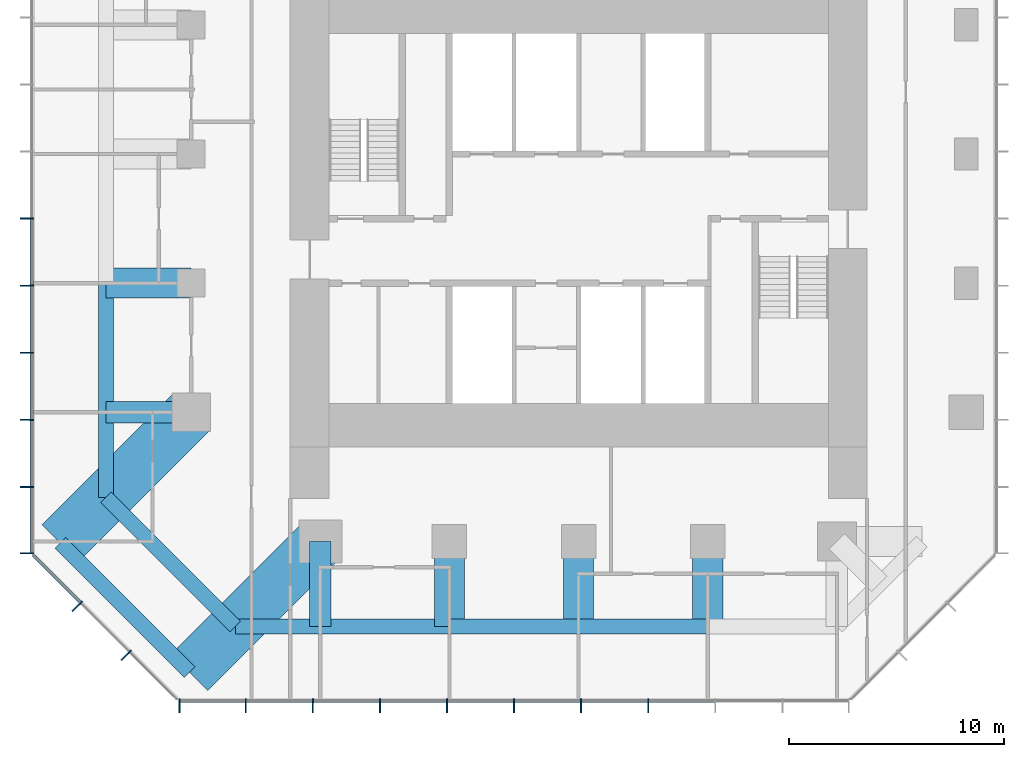
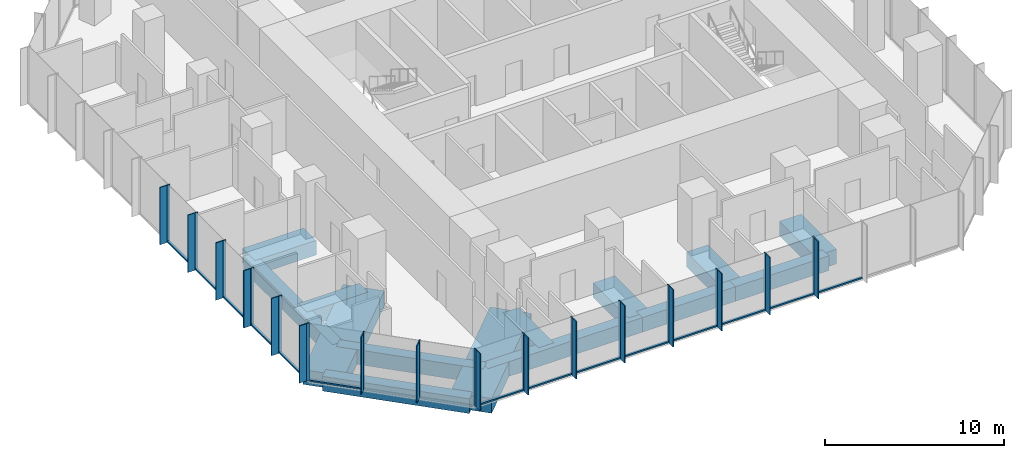
# One storey, part 2 of 11: 46 members, 14 beams, 3 elements without a shape of their own.
"""IFC4 building model written with IfcOpenShell, lengths in metres."""

import ifcopenshell
import ifcopenshell.guid

model = None  # the IFC model being written
_history = None  # IfcOwnerHistory: only IFC2X3 demands one
_inside = {}  # id of a spatial element -> (the spatial element, [elements in it])
_under = {}  # id of a project, library or spatial element -> (it, [spatial elements below it])
_declared = {}  # id of a project -> (the project, [libraries it declares])
_typed = {}  # id of a type object -> (the type object, [elements of that type])
_made_of = {}  # id of a material, layer set ... -> (it, [elements and type objects made of it])


def new_model(schema):
    """Start an empty IFC model of exactly this schema.

    Asked for "IFC4X3", IfcOpenShell would pick the latest addendum, in which some entities
    have other attributes; the version numbers below select the first issue.
    IFC2X3 requires an IfcOwnerHistory on every rooted entity: one is made here for all.
    """
    global model, _history
    if schema == "IFC4X3":
        model = ifcopenshell.file(schema_version=(4, 3, 0, 0))
    else:
        model = ifcopenshell.file(schema=schema)
    _inside.clear()
    _under.clear()
    _declared.clear()
    _typed.clear()
    _made_of.clear()
    _history = None
    if model.schema == "IFC2X3":
        org = make("IfcOrganization", Name="unknown")
        user = make(
            "IfcPersonAndOrganization",
            ThePerson=make("IfcPerson", FamilyName="unknown"),
            TheOrganization=org,
        )
        app = make(
            "IfcApplication",
            ApplicationDeveloper=org,
            Version="unknown",
            ApplicationFullName="unknown",
            ApplicationIdentifier="unknown",
        )
        _history = make(
            "IfcOwnerHistory",
            OwningUser=user,
            OwningApplication=app,
            ChangeAction="ADDED",
            CreationDate=0,
        )
    return model


def make(cls, **values):
    """One entity of the class cls with the attributes given. An attribute that is None is left unset."""
    return model.create_entity(
        cls, **{name: value for name, value in values.items() if value is not None}
    )


def rooted(cls, **values):
    """An entity with a GlobalId (a new one), such as an element, a storey or a relation."""
    return make(cls, GlobalId=ifcopenshell.guid.new(), OwnerHistory=_history, **values)


def si_unit(unit_type, name, prefix=None):
    """IfcSIUnit, for example si_unit("LENGTHUNIT", "METRE", prefix="MILLI")."""
    return make("IfcSIUnit", UnitType=unit_type, Prefix=prefix, Name=name)


def assignment(units):
    """IfcUnitAssignment: the units of a project."""
    return None if units is None else make("IfcUnitAssignment", Units=units)


def point(xyz):
    """IfcCartesianPoint."""
    return None if xyz is None else make("IfcCartesianPoint", Coordinates=xyz)


def direction(xyz):
    """IfcDirection."""
    return None if xyz is None else make("IfcDirection", DirectionRatios=xyz)


def frame(location, z_axis=None, x_axis=None):
    """IfcAxis2Placement3D, a coordinate frame: its origin and axes. An axis left out is left unset."""
    return make(
        "IfcAxis2Placement3D",
        Location=point(location),
        Axis=direction(z_axis),
        RefDirection=direction(x_axis),
    )


def frame_2d(location, x_axis=None):
    """IfcAxis2Placement2D, a coordinate frame in the plane: its origin and x axis."""
    return make(
        "IfcAxis2Placement2D", Location=point(location), RefDirection=direction(x_axis)
    )


def origin():
    """The frame at (0, 0, 0) with its axes left unset."""
    return frame((0.0, 0.0, 0.0))


def origin_2d():
    """The frame at (0, 0) in the plane with its x axis left unset."""
    return frame_2d((0.0, 0.0))


def place(relative_to, where):
    """IfcLocalPlacement: puts the frame where relative to a parent placement (None: the world)."""
    return make(
        "IfcLocalPlacement", PlacementRelTo=relative_to, RelativePlacement=where
    )


def context(
    kind, dimensions, precision=None, world=None, true_north=None, identifier=None
):
    """IfcGeometricRepresentationContext, for example the 3D "Model" context."""
    return make(
        "IfcGeometricRepresentationContext",
        ContextIdentifier=identifier,
        ContextType=kind,
        CoordinateSpaceDimension=dimensions,
        Precision=precision,
        WorldCoordinateSystem=world,
        TrueNorth=true_north,
    )


def subcontext(parent, identifier, kind, view, scale=None):
    """IfcGeometricRepresentationSubContext, for example "Body" below "Model"."""
    return make(
        "IfcGeometricRepresentationSubContext",
        ContextIdentifier=identifier,
        ContextType=kind,
        ParentContext=parent,
        TargetScale=scale,
        TargetView=view,
    )


def project(units=None, contexts=None):
    """IfcProject with its units and contexts."""
    return rooted(
        "IfcProject",
        Name="project",
        RepresentationContexts=contexts,
        UnitsInContext=assignment(units),
    )


def spatial(cls, under=None, at=None, **own):
    """A site, building, storey or space (cls), placed at a placement, below another one or the project."""
    s = rooted(cls, ObjectPlacement=at, **own)
    if under is not None:
        _under.setdefault(under.id(), (under, []))[1].append(s)
    return s


def profile(cls, at=None, kind="AREA", **sizes):
    """A parametric profile (cls). Its sizes go by their IFC names, for example OverallWidth=200.0."""
    return make(cls, ProfileType=kind, Position=at, **sizes)


def rectangle(**sizes):
    """IfcRectangleProfileDef."""
    return profile("IfcRectangleProfileDef", **sizes)


def extrude(swept, where, along, depth):
    """IfcExtrudedAreaSolid: the profile swept, set in the frame where, extruded along a direction by depth."""
    return make(
        "IfcExtrudedAreaSolid",
        SweptArea=swept,
        Position=where,
        ExtrudedDirection=direction(along),
        Depth=depth,
    )


def shape(context_of_items, identifier, shape_type, items):
    """IfcShapeRepresentation: the items that make up one representation, for example the "Body"."""
    return make(
        "IfcShapeRepresentation",
        ContextOfItems=context_of_items,
        RepresentationIdentifier=identifier,
        RepresentationType=shape_type,
        Items=items,
    )


def material(Name=None, Category=None):
    """IfcMaterial."""
    return make("IfcMaterial", Name=Name, Category=Category)


def layer(
    of_material, thickness, ventilated=None, Name=None, Category=None, Priority=None
):
    """IfcMaterialLayer: one layer of a wall or slab, of a material (None: an air gap)."""
    return make(
        "IfcMaterialLayer",
        Material=of_material,
        LayerThickness=thickness,
        IsVentilated=ventilated,
        Name=Name,
        Category=Category,
        Priority=Priority,
    )


def layer_set(layers, Name=None):
    """IfcMaterialLayerSet."""
    return make("IfcMaterialLayerSet", MaterialLayers=layers, LayerSetName=Name)


def material_profile(
    of_material, cross_section, Name=None, Category=None, Priority=None
):
    """IfcMaterialProfile: a cross section and its material."""
    return make(
        "IfcMaterialProfile",
        Name=Name,
        Material=of_material,
        Profile=cross_section,
        Priority=Priority,
        Category=Category,
    )


def profile_set(profiles, Name=None, composite=None):
    """IfcMaterialProfileSet."""
    return make(
        "IfcMaterialProfileSet",
        Name=Name,
        MaterialProfiles=profiles,
        CompositeProfile=composite,
    )


def made_of(thing, what):
    """Note that an element or type object is made of a material, layer set ...; save() writes the relation."""
    if what is not None:
        _made_of.setdefault(what.id(), (what, []))[1].append(thing)
    return thing


def type_object(cls, material=None, **own):
    """A type object (cls), such as IfcWallType, which elements share."""
    return made_of(rooted(cls, **own), material)


def element(
    cls,
    number,
    at=None,
    inside=None,
    cuts=None,
    type_object=None,
    material=None,
    context=None,
    identifier="Body",
    shape_type=None,
    held_by="IfcProductDefinitionShape",
    body=None,
    shapes=None,
    **own,
):
    """One element of the class cls, such as IfcWall. Its Tag is "e" and its number.

    at: its placement. inside: the storey or other place that contains it. cuts: it is an
    opening in that element (IfcRelVoidsElement). A single representation is given by context,
    identifier, shape_type and body (its items); several are given by shapes. held_by: the class
    of the entity that holds the representations. save() writes the other relations.
    """
    e = rooted(cls, Tag="e%d" % number, ObjectPlacement=at, **own)
    if body is not None:
        shapes = [shape(context, identifier, shape_type, body)]
    if shapes is not None:
        e.Representation = make(held_by, Representations=shapes)
    if inside is not None:
        _inside.setdefault(inside.id(), (inside, []))[1].append(e)
    if cuts is not None:
        rooted(
            "IfcRelVoidsElement", RelatingBuildingElement=cuts, RelatedOpeningElement=e
        )
    if type_object is not None:
        _typed.setdefault(type_object.id(), (type_object, []))[1].append(e)
    return made_of(e, material)


def aggregate(whole, parts):
    """IfcRelAggregates: a whole, such as a stair, and the parts it consists of."""
    return rooted("IfcRelAggregates", RelatingObject=whole, RelatedObjects=parts)


def save(model, path):
    """Write the relations noted so far, then the file.

    IfcRelAggregates (storeys below a building ...), IfcRelContainedInSpatialStructure (elements
    in a storey), IfcRelDefinesByType, IfcRelAssociatesMaterial and IfcRelDeclares: one each for
    every whole, place, type object, material and project.
    """
    for whole, parts in _under.values():
        aggregate(whole, parts)
    for where, things in _inside.values():
        rooted(
            "IfcRelContainedInSpatialStructure",
            RelatedElements=things,
            RelatingStructure=where,
        )
    for kind, things in _typed.values():
        rooted("IfcRelDefinesByType", RelatedObjects=things, RelatingType=kind)
    for what, things in _made_of.values():
        rooted("IfcRelAssociatesMaterial", RelatedObjects=things, RelatingMaterial=what)
    for by, libraries in _declared.values():
        rooted("IfcRelDeclares", RelatingContext=by, RelatedDefinitions=libraries)
    model.write(path)


model = new_model("IFC4")

# Units and contexts
model_context = context("Model", 3, precision=1e-05, world=origin(), true_north=direction((0.0, 1.0)))
body_context = subcontext(model_context, "Body", "Model", "MODEL_VIEW")
ifc_project = project(units=[si_unit("LENGTHUNIT", "METRE"), si_unit("AREAUNIT", "SQUARE_METRE"), si_unit("VOLUMEUNIT", "CUBIC_METRE"), si_unit("PLANEANGLEUNIT", "RADIAN"), si_unit("MASSUNIT", "GRAM", prefix="KILO")], contexts=[model_context])

# Site, building, storey
site_placement = place(None, origin())
site = spatial("IfcSite", under=ifc_project, at=site_placement, CompositionType="ELEMENT")
building_placement = place(site_placement, origin())
building = spatial("IfcBuilding", under=site, at=building_placement, Name="Highveld Stack Headquarters", CompositionType="ELEMENT")
storey_placement = place(building_placement, frame((0.0, 0.0, 220.10009765625)))
storey = spatial("IfcBuildingStorey", under=building, at=storey_placement, Name="L54", CompositionType="ELEMENT", Elevation=220.10009765625)

# Beams
ifc_material_1 = material(Name="Concrete C60/75", Category="concrete")
ifc_material_profile_1 = material_profile(ifc_material_1, rectangle(XDim=1.0, YDim=1.0, at=origin_2d()), Name="RC 1000x1000")
ifc_profile_set_1 = profile_set([ifc_material_profile_1], Name="Concrete C60/75")
beam_type_1 = type_object("IfcBeamType", Name="CANTILEVER RIB RC 1000x1000", PredefinedType="USERDEFINED", material=ifc_profile_set_1)
for number, where, z_axis, x_axis, name in (
    (1, (-12.0, -6.0, -0.75), (-1.0, 0.0, 0.0), (0.0, -1.0, 0.0), "Cantilever rib 4/D L54"),
    (2, (-6.0, -12.0, -0.75), (0.0, -1.0, 0.0), (1.0, 0.0, 0.0), "Cantilever rib 5/C L54"),
):
    element("IfcBeam", number, at=place(storey_placement, frame(where, z_axis=z_axis, x_axis=x_axis)), inside=storey, type_object=beam_type_1, Name=name, ObjectType="CANTILEVER RIB", PredefinedType="USERDEFINED", context=body_context, shape_type="SweptSolid", body=[
        extrude(rectangle(XDim=1.0, YDim=1.0, at=origin_2d()), origin(), (0.0, 0.0, 1.0), 3.949951171875),
    ])
ifc_material_2 = material(Name="Concrete C60/75", Category="concrete")
ifc_material_profile_2 = material_profile(ifc_material_2, rectangle(XDim=1.39990234375, YDim=1.0, at=origin_2d()), Name="RC 1400x1000")
ifc_profile_set_2 = profile_set([ifc_material_profile_2], Name="Concrete C60/75")
beam_type_2 = type_object("IfcBeamType", Name="CANTILEVER RIB RC 1400x1000", PredefinedType="USERDEFINED", material=ifc_profile_set_2)
for number, where, z_axis, x_axis, name in (
    (3, (-12.0, 0.0, -0.75), (-1.0, 0.0, 0.0), (0.0, -1.0, 0.0), "Cantilever rib 4/E L54"),
    (4, (0.0, -12.0, -0.75), (0.0, -1.0, 0.0), (1.0, 0.0, 0.0), "Cantilever rib 6/C L54"),
    (5, (6.0, -12.0, -0.75), (0.0, -1.0, 0.0), (1.0, 0.0, 0.0), "Cantilever rib 7/C L54"),
    (6, (12.0, -12.0, -0.75), (0.0, -1.0, 0.0), (1.0, 0.0, 0.0), "Cantilever rib 8/C L54"),
):
    element("IfcBeam", number, at=place(storey_placement, frame(where, z_axis=z_axis, x_axis=x_axis)), inside=storey, type_object=beam_type_2, Name=name, ObjectType="CANTILEVER RIB", PredefinedType="USERDEFINED", context=body_context, shape_type="SweptSolid", body=[
        extrude(rectangle(XDim=1.39990234375, YDim=1.0, at=origin_2d()), origin(), (0.0, 0.0, 1.0), 3.949951171875),
    ])
ifc_material_3 = material(Name="Concrete C60/75", Category="concrete")
ifc_material_profile_3 = material_profile(ifc_material_3, rectangle(XDim=2.39990234375, YDim=1.0, at=origin_2d()), Name="RC 2400x1000")
ifc_profile_set_3 = profile_set([ifc_material_profile_3], Name="Concrete C60/75")
beam_type_3 = type_object("IfcBeamType", Name="CANTILEVER RIB RC 2400x1000", PredefinedType="USERDEFINED", material=ifc_profile_set_3)
for number, where, z_axis, x_axis, name in (
    (7, (-12.0, -6.0, -0.75), (-0.707106781187, -0.707106781187, 0.0), (0.707106781187, -0.707106781187, 0.0), "Cantilever rib 4/D L54"),
    (8, (-6.0, -12.0, -0.75), (-0.707106781187, -0.707106781187, 0.0), (0.707106781187, -0.707106781187, 0.0), "Cantilever rib 5/C L54"),
):
    element("IfcBeam", number, at=place(storey_placement, frame(where, z_axis=z_axis, x_axis=x_axis)), inside=storey, type_object=beam_type_3, Name=name, ObjectType="CANTILEVER RIB", PredefinedType="USERDEFINED", context=body_context, shape_type="SweptSolid", body=[
        extrude(rectangle(XDim=2.39990234375, YDim=1.0, at=origin_2d()), origin(), (0.0, 0.0, 1.0), 8.585693359375),
    ])

# Curtain wall, members
ifc_material_4 = material(Name="Aluminium bronze anodised", Category="aluminium")
ifc_layer_1 = layer(ifc_material_4, 0.199951171875)
ifc_layer_set_1 = layer_set([ifc_layer_1], Name="Aluminium bronze anodised")
curtain_wall_type_1 = type_object("IfcCurtainWallType", Name="CW1 TOWER UNITISED CURTAIN WALL", PredefinedType="NOTDEFINED", material=ifc_layer_set_1)
curtain_wall_1_placement = place(storey_placement, origin())
curtain_wall_1 = element("IfcCurtainWall", 9, at=curtain_wall_1_placement, inside=storey, type_object=curtain_wall_type_1, Name="Curtain wall CW1 L54 S", PredefinedType="NOTDEFINED")
ifc_material_5 = material(Name="Aluminium bronze anodised", Category="aluminium")
ifc_material_profile_4 = material_profile(ifc_material_5, rectangle(XDim=0.449951171875, YDim=0.06005859375, at=origin_2d()), Name="FIN 450x60")
ifc_profile_set_4 = profile_set([ifc_material_profile_4], Name="Aluminium bronze anodised")
member_type_1 = type_object("IfcMemberType", Name="CW1 BRONZE FIN 450x60", PredefinedType="USERDEFINED", material=ifc_profile_set_4)
member_1_placement = place(storey_placement, frame((-12.54736328125, -19.72509765625, 0.0), z_axis=(0.0, 0.0, 1.0), x_axis=(0.0, 1.0, 0.0)))
member_1 = element("IfcMember", 10, at=member_1_placement, type_object=member_type_1, Name="CW1 fin L54 1", ObjectType="FIN", PredefinedType="USERDEFINED", context=body_context, shape_type="SweptSolid", body=[
    extrude(rectangle(XDim=0.449951171875, YDim=0.06005859375, at=origin_2d()), origin(), (0.0, 0.0, 1.0), 3.89990234375),
])
member_2_placement = place(storey_placement, frame((-9.4638671875, -19.72509765625, 0.0), z_axis=(0.0, 0.0, 1.0), x_axis=(0.0, 1.0, 0.0)))
member_2 = element("IfcMember", 11, at=member_2_placement, type_object=member_type_1, Name="CW1 fin L54 2", ObjectType="FIN", PredefinedType="USERDEFINED", context=body_context, shape_type="SweptSolid", body=[
    extrude(rectangle(XDim=0.449951171875, YDim=0.06005859375, at=origin_2d()), origin(), (0.0, 0.0, 1.0), 3.89990234375),
])
member_3_placement = place(storey_placement, frame((-6.347900390625, -19.72509765625, 0.0), z_axis=(0.0, 0.0, 1.0), x_axis=(0.0, 1.0, 0.0)))
member_3 = element("IfcMember", 12, at=member_3_placement, type_object=member_type_1, Name="CW1 fin L54 3", ObjectType="FIN", PredefinedType="USERDEFINED", context=body_context, shape_type="SweptSolid", body=[
    extrude(rectangle(XDim=0.449951171875, YDim=0.06005859375, at=origin_2d()), origin(), (0.0, 0.0, 1.0), 3.89990234375),
])
member_4_placement = place(storey_placement, frame((-3.23193359375, -19.72509765625, 0.0), z_axis=(0.0, 0.0, 1.0), x_axis=(0.0, 1.0, 0.0)))
member_4 = element("IfcMember", 13, at=member_4_placement, type_object=member_type_1, Name="CW1 fin L54 4", ObjectType="FIN", PredefinedType="USERDEFINED", context=body_context, shape_type="SweptSolid", body=[
    extrude(rectangle(XDim=0.449951171875, YDim=0.06005859375, at=origin_2d()), origin(), (0.0, 0.0, 1.0), 3.89990234375),
])
member_5_placement = place(storey_placement, frame((-0.115966796875, -19.72509765625, 0.0), z_axis=(0.0, 0.0, 1.0), x_axis=(0.0, 1.0, 0.0)))
member_5 = element("IfcMember", 14, at=member_5_placement, type_object=member_type_1, Name="CW1 fin L54 5", ObjectType="FIN", PredefinedType="USERDEFINED", context=body_context, shape_type="SweptSolid", body=[
    extrude(rectangle(XDim=0.449951171875, YDim=0.06005859375, at=origin_2d()), origin(), (0.0, 0.0, 1.0), 3.89990234375),
])
member_6_placement = place(storey_placement, frame((3.0, -19.72509765625, 0.0), z_axis=(0.0, 0.0, 1.0), x_axis=(0.0, 1.0, 0.0)))
member_6 = element("IfcMember", 15, at=member_6_placement, type_object=member_type_1, Name="CW1 fin L54 6", ObjectType="FIN", PredefinedType="USERDEFINED", context=body_context, shape_type="SweptSolid", body=[
    extrude(rectangle(XDim=0.449951171875, YDim=0.06005859375, at=origin_2d()), origin(), (0.0, 0.0, 1.0), 3.89990234375),
])
member_7_placement = place(storey_placement, frame((6.115966796875, -19.72509765625, 0.0), z_axis=(0.0, 0.0, 1.0), x_axis=(0.0, 1.0, 0.0)))
member_7 = element("IfcMember", 16, at=member_7_placement, type_object=member_type_1, Name="CW1 fin L54 7", ObjectType="FIN", PredefinedType="USERDEFINED", context=body_context, shape_type="SweptSolid", body=[
    extrude(rectangle(XDim=0.449951171875, YDim=0.06005859375, at=origin_2d()), origin(), (0.0, 0.0, 1.0), 3.89990234375),
])
member_8_placement = place(storey_placement, frame((9.23193359375, -19.72509765625, 0.0), z_axis=(0.0, 0.0, 1.0), x_axis=(0.0, 1.0, 0.0)))
member_8 = element("IfcMember", 17, at=member_8_placement, type_object=member_type_1, Name="CW1 fin L54 8", ObjectType="FIN", PredefinedType="USERDEFINED", context=body_context, shape_type="SweptSolid", body=[
    extrude(rectangle(XDim=0.449951171875, YDim=0.06005859375, at=origin_2d()), origin(), (0.0, 0.0, 1.0), 3.89990234375),
])

curtain_wall_2_placement = place(storey_placement, origin())
curtain_wall_2 = element("IfcCurtainWall", 18, at=curtain_wall_2_placement, inside=storey, type_object=curtain_wall_type_1, Name="Curtain wall CW1 L54 W", PredefinedType="NOTDEFINED")
member_9_placement = place(storey_placement, frame((-19.72509765625, 3.0, 0.0), z_axis=(0.0, 0.0, 1.0), x_axis=(1.0, 0.0, 0.0)))
member_9 = element("IfcMember", 19, at=member_9_placement, type_object=member_type_1, Name="CW1 fin L54 6", ObjectType="FIN", PredefinedType="USERDEFINED", context=body_context, shape_type="SweptSolid", body=[
    extrude(rectangle(XDim=0.449951171875, YDim=0.06005859375, at=origin_2d()), origin(), (0.0, 0.0, 1.0), 3.89990234375),
])
member_10_placement = place(storey_placement, frame((-19.72509765625, -0.115966796875, 0.0), z_axis=(0.0, 0.0, 1.0), x_axis=(1.0, 0.0, 0.0)))
member_10 = element("IfcMember", 20, at=member_10_placement, type_object=member_type_1, Name="CW1 fin L54 7", ObjectType="FIN", PredefinedType="USERDEFINED", context=body_context, shape_type="SweptSolid", body=[
    extrude(rectangle(XDim=0.449951171875, YDim=0.06005859375, at=origin_2d()), origin(), (0.0, 0.0, 1.0), 3.89990234375),
])
member_11_placement = place(storey_placement, frame((-19.72509765625, -3.23193359375, 0.0), z_axis=(0.0, 0.0, 1.0), x_axis=(1.0, 0.0, 0.0)))
member_11 = element("IfcMember", 21, at=member_11_placement, type_object=member_type_1, Name="CW1 fin L54 8", ObjectType="FIN", PredefinedType="USERDEFINED", context=body_context, shape_type="SweptSolid", body=[
    extrude(rectangle(XDim=0.449951171875, YDim=0.06005859375, at=origin_2d()), origin(), (0.0, 0.0, 1.0), 3.89990234375),
])
member_12_placement = place(storey_placement, frame((-19.72509765625, -6.347900390625, 0.0), z_axis=(0.0, 0.0, 1.0), x_axis=(1.0, 0.0, 0.0)))
member_12 = element("IfcMember", 22, at=member_12_placement, type_object=member_type_1, Name="CW1 fin L54 9", ObjectType="FIN", PredefinedType="USERDEFINED", context=body_context, shape_type="SweptSolid", body=[
    extrude(rectangle(XDim=0.449951171875, YDim=0.06005859375, at=origin_2d()), origin(), (0.0, 0.0, 1.0), 3.89990234375),
])
member_13_placement = place(storey_placement, frame((-19.72509765625, -9.4638671875, 0.0), z_axis=(0.0, 0.0, 1.0), x_axis=(1.0, 0.0, 0.0)))
member_13 = element("IfcMember", 23, at=member_13_placement, type_object=member_type_1, Name="CW1 fin L54 10", ObjectType="FIN", PredefinedType="USERDEFINED", context=body_context, shape_type="SweptSolid", body=[
    extrude(rectangle(XDim=0.449951171875, YDim=0.06005859375, at=origin_2d()), origin(), (0.0, 0.0, 1.0), 3.89990234375),
])
member_14_placement = place(storey_placement, frame((-19.72509765625, -12.54736328125, 0.0), z_axis=(0.0, 0.0, 1.0), x_axis=(1.0, 0.0, 0.0)))
member_14 = element("IfcMember", 24, at=member_14_placement, type_object=member_type_1, Name="CW1 fin L54 11", ObjectType="FIN", PredefinedType="USERDEFINED", context=body_context, shape_type="SweptSolid", body=[
    extrude(rectangle(XDim=0.449951171875, YDim=0.06005859375, at=origin_2d()), origin(), (0.0, 0.0, 1.0), 3.89990234375),
])

# Member
ifc_material_6 = material(Name="Aluminium bronze anodised", Category="aluminium")
ifc_material_profile_5 = material_profile(ifc_material_6, rectangle(XDim=0.199951171875, YDim=0.06494140625, at=origin_2d()), Name="CW1 MULLION 65x200")
ifc_profile_set_5 = profile_set([ifc_material_profile_5], Name="Aluminium bronze anodised")
member_type_2 = type_object("IfcMemberType", Name="CW1 MULLION 65x200", PredefinedType="MULLION", material=ifc_profile_set_5)
member_15_placement = place(storey_placement, frame((-12.54736328125, -19.39990234375, 0.0), z_axis=(0.0, 0.0, 1.0), x_axis=(0.0, 1.0, 0.0)))
member_15 = element("IfcMember", 25, at=member_15_placement, type_object=member_type_2, Name="CW1 mullion L54 1", PredefinedType="MULLION", context=body_context, shape_type="SweptSolid", body=[
    extrude(rectangle(XDim=0.199951171875, YDim=0.06494140625, at=origin_2d()), origin(), (0.0, 0.0, 1.0), 3.89990234375),
])

member_16_placement = place(storey_placement, frame((-9.4638671875, -19.39990234375, 0.0), z_axis=(0.0, 0.0, 1.0), x_axis=(0.0, 1.0, 0.0)))
member_16 = element("IfcMember", 26, at=member_16_placement, type_object=member_type_2, Name="CW1 mullion L54 2", PredefinedType="MULLION", context=body_context, shape_type="SweptSolid", body=[
    extrude(rectangle(XDim=0.199951171875, YDim=0.06494140625, at=origin_2d()), origin(), (0.0, 0.0, 1.0), 3.89990234375),
])

member_17_placement = place(storey_placement, frame((-6.347900390625, -19.39990234375, 0.0), z_axis=(0.0, 0.0, 1.0), x_axis=(0.0, 1.0, 0.0)))
member_17 = element("IfcMember", 27, at=member_17_placement, type_object=member_type_2, Name="CW1 mullion L54 3", PredefinedType="MULLION", context=body_context, shape_type="SweptSolid", body=[
    extrude(rectangle(XDim=0.199951171875, YDim=0.06494140625, at=origin_2d()), origin(), (0.0, 0.0, 1.0), 3.89990234375),
])

member_18_placement = place(storey_placement, frame((-3.23193359375, -19.39990234375, 0.0), z_axis=(0.0, 0.0, 1.0), x_axis=(0.0, 1.0, 0.0)))
member_18 = element("IfcMember", 28, at=member_18_placement, type_object=member_type_2, Name="CW1 mullion L54 4", PredefinedType="MULLION", context=body_context, shape_type="SweptSolid", body=[
    extrude(rectangle(XDim=0.199951171875, YDim=0.06494140625, at=origin_2d()), origin(), (0.0, 0.0, 1.0), 3.89990234375),
])

member_19_placement = place(storey_placement, frame((-0.115966796875, -19.39990234375, 0.0), z_axis=(0.0, 0.0, 1.0), x_axis=(0.0, 1.0, 0.0)))
member_19 = element("IfcMember", 29, at=member_19_placement, type_object=member_type_2, Name="CW1 mullion L54 5", PredefinedType="MULLION", context=body_context, shape_type="SweptSolid", body=[
    extrude(rectangle(XDim=0.199951171875, YDim=0.06494140625, at=origin_2d()), origin(), (0.0, 0.0, 1.0), 3.89990234375),
])

member_20_placement = place(storey_placement, frame((3.0, -19.39990234375, 0.0), z_axis=(0.0, 0.0, 1.0), x_axis=(0.0, 1.0, 0.0)))
member_20 = element("IfcMember", 30, at=member_20_placement, type_object=member_type_2, Name="CW1 mullion L54 6", PredefinedType="MULLION", context=body_context, shape_type="SweptSolid", body=[
    extrude(rectangle(XDim=0.199951171875, YDim=0.06494140625, at=origin_2d()), origin(), (0.0, 0.0, 1.0), 3.89990234375),
])

member_21_placement = place(storey_placement, frame((6.115966796875, -19.39990234375, 0.0), z_axis=(0.0, 0.0, 1.0), x_axis=(0.0, 1.0, 0.0)))
member_21 = element("IfcMember", 31, at=member_21_placement, type_object=member_type_2, Name="CW1 mullion L54 7", PredefinedType="MULLION", context=body_context, shape_type="SweptSolid", body=[
    extrude(rectangle(XDim=0.199951171875, YDim=0.06494140625, at=origin_2d()), origin(), (0.0, 0.0, 1.0), 3.89990234375),
])

member_22_placement = place(storey_placement, frame((9.23193359375, -19.39990234375, 0.0), z_axis=(0.0, 0.0, 1.0), x_axis=(0.0, 1.0, 0.0)))
member_22 = element("IfcMember", 32, at=member_22_placement, type_object=member_type_2, Name="CW1 mullion L54 8", PredefinedType="MULLION", context=body_context, shape_type="SweptSolid", body=[
    extrude(rectangle(XDim=0.199951171875, YDim=0.06494140625, at=origin_2d()), origin(), (0.0, 0.0, 1.0), 3.89990234375),
])

member_23_placement = place(storey_placement, frame((-19.39990234375, 3.0, 0.0), z_axis=(0.0, 0.0, 1.0), x_axis=(1.0, 0.0, 0.0)))
member_23 = element("IfcMember", 33, at=member_23_placement, type_object=member_type_2, Name="CW1 mullion L54 6", PredefinedType="MULLION", context=body_context, shape_type="SweptSolid", body=[
    extrude(rectangle(XDim=0.199951171875, YDim=0.06494140625, at=origin_2d()), origin(), (0.0, 0.0, 1.0), 3.89990234375),
])

member_24_placement = place(storey_placement, frame((-19.39990234375, -0.115966796875, 0.0), z_axis=(0.0, 0.0, 1.0), x_axis=(1.0, 0.0, 0.0)))
member_24 = element("IfcMember", 34, at=member_24_placement, type_object=member_type_2, Name="CW1 mullion L54 7", PredefinedType="MULLION", context=body_context, shape_type="SweptSolid", body=[
    extrude(rectangle(XDim=0.199951171875, YDim=0.06494140625, at=origin_2d()), origin(), (0.0, 0.0, 1.0), 3.89990234375),
])

member_25_placement = place(storey_placement, frame((-19.39990234375, -3.23193359375, 0.0), z_axis=(0.0, 0.0, 1.0), x_axis=(1.0, 0.0, 0.0)))
member_25 = element("IfcMember", 35, at=member_25_placement, type_object=member_type_2, Name="CW1 mullion L54 8", PredefinedType="MULLION", context=body_context, shape_type="SweptSolid", body=[
    extrude(rectangle(XDim=0.199951171875, YDim=0.06494140625, at=origin_2d()), origin(), (0.0, 0.0, 1.0), 3.89990234375),
])

member_26_placement = place(storey_placement, frame((-19.39990234375, -6.347900390625, 0.0), z_axis=(0.0, 0.0, 1.0), x_axis=(1.0, 0.0, 0.0)))
member_26 = element("IfcMember", 36, at=member_26_placement, type_object=member_type_2, Name="CW1 mullion L54 9", PredefinedType="MULLION", context=body_context, shape_type="SweptSolid", body=[
    extrude(rectangle(XDim=0.199951171875, YDim=0.06494140625, at=origin_2d()), origin(), (0.0, 0.0, 1.0), 3.89990234375),
])

member_27_placement = place(storey_placement, frame((-19.39990234375, -9.4638671875, 0.0), z_axis=(0.0, 0.0, 1.0), x_axis=(1.0, 0.0, 0.0)))
member_27 = element("IfcMember", 37, at=member_27_placement, type_object=member_type_2, Name="CW1 mullion L54 10", PredefinedType="MULLION", context=body_context, shape_type="SweptSolid", body=[
    extrude(rectangle(XDim=0.199951171875, YDim=0.06494140625, at=origin_2d()), origin(), (0.0, 0.0, 1.0), 3.89990234375),
])

member_28_placement = place(storey_placement, frame((-19.39990234375, -12.54736328125, 0.0), z_axis=(0.0, 0.0, 1.0), x_axis=(1.0, 0.0, 0.0)))
member_28 = element("IfcMember", 38, at=member_28_placement, type_object=member_type_2, Name="CW1 mullion L54 11", PredefinedType="MULLION", context=body_context, shape_type="SweptSolid", body=[
    extrude(rectangle(XDim=0.199951171875, YDim=0.06494140625, at=origin_2d()), origin(), (0.0, 0.0, 1.0), 3.89990234375),
])

ifc_material_7 = material(Name="Aluminium bronze anodised", Category="aluminium")
ifc_material_profile_6 = material_profile(ifc_material_7, rectangle(XDim=0.14990234375, YDim=0.10009765625, at=origin_2d()), Name="CW1 TRANSOM 150x100")
ifc_profile_set_6 = profile_set([ifc_material_profile_6], Name="Aluminium bronze anodised")
member_type_3 = type_object("IfcMemberType", Name="CW1 STACK TRANSOM 150x100", PredefinedType="USERDEFINED", material=ifc_profile_set_6)
member_29_placement = place(storey_placement, frame((-12.514892578125, -19.39990234375, 0.0498046875), z_axis=(1.0, 0.0, 0.0), x_axis=(0.0, 1.0, 0.0)))
member_29 = element("IfcMember", 39, at=member_29_placement, type_object=member_type_3, Name="CW1 transom L54 1.1", ObjectType="TRANSOM", PredefinedType="USERDEFINED", context=body_context, shape_type="SweptSolid", body=[
    extrude(rectangle(XDim=0.14990234375, YDim=0.10009765625, at=origin_2d()), origin(), (0.0, 0.0, 1.0), 3.0185546875),
])

member_30_placement = place(storey_placement, frame((-9.431396484375, -19.39990234375, 0.0498046875), z_axis=(1.0, 0.0, 0.0), x_axis=(0.0, 1.0, 0.0)))
member_30 = element("IfcMember", 40, at=member_30_placement, type_object=member_type_3, Name="CW1 transom L54 2.1", ObjectType="TRANSOM", PredefinedType="USERDEFINED", context=body_context, shape_type="SweptSolid", body=[
    extrude(rectangle(XDim=0.14990234375, YDim=0.10009765625, at=origin_2d()), origin(), (0.0, 0.0, 1.0), 3.051025390625),
])

member_31_placement = place(storey_placement, frame((-6.3154296875, -19.39990234375, 0.0498046875), z_axis=(1.0, 0.0, 0.0), x_axis=(0.0, 1.0, 0.0)))
member_31 = element("IfcMember", 41, at=member_31_placement, type_object=member_type_3, Name="CW1 transom L54 3.1", ObjectType="TRANSOM", PredefinedType="USERDEFINED", context=body_context, shape_type="SweptSolid", body=[
    extrude(rectangle(XDim=0.14990234375, YDim=0.10009765625, at=origin_2d()), origin(), (0.0, 0.0, 1.0), 3.051025390625),
])

member_32_placement = place(storey_placement, frame((-3.199462890625, -19.39990234375, 0.0498046875), z_axis=(1.0, 0.0, 0.0), x_axis=(0.0, 1.0, 0.0)))
member_32 = element("IfcMember", 42, at=member_32_placement, type_object=member_type_3, Name="CW1 transom L54 4.1", ObjectType="TRANSOM", PredefinedType="USERDEFINED", context=body_context, shape_type="SweptSolid", body=[
    extrude(rectangle(XDim=0.14990234375, YDim=0.10009765625, at=origin_2d()), origin(), (0.0, 0.0, 1.0), 3.051025390625),
])

member_33_placement = place(storey_placement, frame((-0.08349609375, -19.39990234375, 0.0498046875), z_axis=(1.0, 0.0, 0.0), x_axis=(0.0, 1.0, 0.0)))
member_33 = element("IfcMember", 43, at=member_33_placement, type_object=member_type_3, Name="CW1 transom L54 5.1", ObjectType="TRANSOM", PredefinedType="USERDEFINED", context=body_context, shape_type="SweptSolid", body=[
    extrude(rectangle(XDim=0.14990234375, YDim=0.10009765625, at=origin_2d()), origin(), (0.0, 0.0, 1.0), 3.051025390625),
])

member_34_placement = place(storey_placement, frame((3.032470703125, -19.39990234375, 0.0498046875), z_axis=(1.0, 0.0, 0.0), x_axis=(0.0, 1.0, 0.0)))
member_34 = element("IfcMember", 44, at=member_34_placement, type_object=member_type_3, Name="CW1 transom L54 6.1", ObjectType="TRANSOM", PredefinedType="USERDEFINED", context=body_context, shape_type="SweptSolid", body=[
    extrude(rectangle(XDim=0.14990234375, YDim=0.10009765625, at=origin_2d()), origin(), (0.0, 0.0, 1.0), 3.051025390625),
])

member_35_placement = place(storey_placement, frame((6.1484375, -19.39990234375, 0.0498046875), z_axis=(1.0, 0.0, 0.0), x_axis=(0.0, 1.0, 0.0)))
member_35 = element("IfcMember", 45, at=member_35_placement, type_object=member_type_3, Name="CW1 transom L54 7.1", ObjectType="TRANSOM", PredefinedType="USERDEFINED", context=body_context, shape_type="SweptSolid", body=[
    extrude(rectangle(XDim=0.14990234375, YDim=0.10009765625, at=origin_2d()), origin(), (0.0, 0.0, 1.0), 3.051025390625),
])

member_36_placement = place(storey_placement, frame((9.264404296875, -19.39990234375, 0.0498046875), z_axis=(1.0, 0.0, 0.0), x_axis=(0.0, 1.0, 0.0)))
member_36 = element("IfcMember", 46, at=member_36_placement, type_object=member_type_3, Name="CW1 transom L54 8.1", ObjectType="TRANSOM", PredefinedType="USERDEFINED", context=body_context, shape_type="SweptSolid", body=[
    extrude(rectangle(XDim=0.14990234375, YDim=0.10009765625, at=origin_2d()), origin(), (0.0, 0.0, 1.0), 3.051025390625),
])

aggregate(curtain_wall_1, [member_15, member_1, member_16, member_2, member_17, member_3, member_18, member_4, member_19, member_5, member_20, member_6, member_21, member_7, member_22, member_8, member_29, member_30, member_31, member_32, member_33, member_34, member_35, member_36])

member_37_placement = place(storey_placement, frame((-19.39990234375, 2.967529296875, 0.0498046875), z_axis=(0.0, -1.0, 0.0), x_axis=(1.0, 0.0, 0.0)))
member_37 = element("IfcMember", 47, at=member_37_placement, type_object=member_type_3, Name="CW1 transom L54 6.1", ObjectType="TRANSOM", PredefinedType="USERDEFINED", context=body_context, shape_type="SweptSolid", body=[
    extrude(rectangle(XDim=0.14990234375, YDim=0.10009765625, at=origin_2d()), origin(), (0.0, 0.0, 1.0), 3.051025390625),
])

member_38_placement = place(storey_placement, frame((-19.39990234375, -0.1484375, 0.0498046875), z_axis=(0.0, -1.0, 0.0), x_axis=(1.0, 0.0, 0.0)))
member_38 = element("IfcMember", 48, at=member_38_placement, type_object=member_type_3, Name="CW1 transom L54 7.1", ObjectType="TRANSOM", PredefinedType="USERDEFINED", context=body_context, shape_type="SweptSolid", body=[
    extrude(rectangle(XDim=0.14990234375, YDim=0.10009765625, at=origin_2d()), origin(), (0.0, 0.0, 1.0), 3.051025390625),
])

member_39_placement = place(storey_placement, frame((-19.39990234375, -3.264404296875, 0.0498046875), z_axis=(0.0, -1.0, 0.0), x_axis=(1.0, 0.0, 0.0)))
member_39 = element("IfcMember", 49, at=member_39_placement, type_object=member_type_3, Name="CW1 transom L54 8.1", ObjectType="TRANSOM", PredefinedType="USERDEFINED", context=body_context, shape_type="SweptSolid", body=[
    extrude(rectangle(XDim=0.14990234375, YDim=0.10009765625, at=origin_2d()), origin(), (0.0, 0.0, 1.0), 3.051025390625),
])

member_40_placement = place(storey_placement, frame((-19.39990234375, -6.38037109375, 0.0498046875), z_axis=(0.0, -1.0, 0.0), x_axis=(1.0, 0.0, 0.0)))
member_40 = element("IfcMember", 50, at=member_40_placement, type_object=member_type_3, Name="CW1 transom L54 9.1", ObjectType="TRANSOM", PredefinedType="USERDEFINED", context=body_context, shape_type="SweptSolid", body=[
    extrude(rectangle(XDim=0.14990234375, YDim=0.10009765625, at=origin_2d()), origin(), (0.0, 0.0, 1.0), 3.051025390625),
])

member_41_placement = place(storey_placement, frame((-19.39990234375, -9.496337890625, 0.0498046875), z_axis=(0.0, -1.0, 0.0), x_axis=(1.0, 0.0, 0.0)))
member_41 = element("IfcMember", 51, at=member_41_placement, type_object=member_type_3, Name="CW1 transom L54 10.1", ObjectType="TRANSOM", PredefinedType="USERDEFINED", context=body_context, shape_type="SweptSolid", body=[
    extrude(rectangle(XDim=0.14990234375, YDim=0.10009765625, at=origin_2d()), origin(), (0.0, 0.0, 1.0), 3.0185546875),
])

aggregate(curtain_wall_2, [member_23, member_9, member_24, member_10, member_25, member_11, member_26, member_12, member_27, member_13, member_28, member_14, member_37, member_38, member_39, member_40, member_41])

# Curtain wall, members
ifc_material_8 = material(Name="Aluminium bronze anodised", Category="aluminium")
ifc_layer_2 = layer(ifc_material_8, 0.199951171875)
ifc_layer_set_2 = layer_set([ifc_layer_2], Name="Aluminium bronze anodised")
curtain_wall_type_2 = type_object("IfcCurtainWallType", Name="CW2 TOWER CHAMFER UNITISED CURTAIN WALL", PredefinedType="NOTDEFINED", material=ifc_layer_set_2)
curtain_wall_3_placement = place(storey_placement, origin())
curtain_wall_3 = element("IfcCurtainWall", 52, at=curtain_wall_3_placement, inside=storey, type_object=curtain_wall_type_2, Name="Curtain wall CW2 L54 SW", PredefinedType="NOTDEFINED")
ifc_material_9 = material(Name="Aluminium bronze anodised", Category="aluminium")
ifc_material_profile_7 = material_profile(ifc_material_9, rectangle(XDim=0.449951171875, YDim=0.06005859375, at=origin_2d()), Name="FIN 450x60")
ifc_profile_set_7 = profile_set([ifc_material_profile_7], Name="Aluminium bronze anodised")
member_type_4 = type_object("IfcMemberType", Name="CW2 BRONZE FIN 450x60", PredefinedType="USERDEFINED", material=ifc_profile_set_7)
member_42_placement = place(storey_placement, frame((-17.3564453125, -15.0830078125, 0.0), z_axis=(0.0, 0.0, 1.0), x_axis=(0.707106781187, 0.707106781187, 0.0)))
member_42 = element("IfcMember", 53, at=member_42_placement, type_object=member_type_4, Name="CW2 fin L54 1", ObjectType="FIN", PredefinedType="USERDEFINED", context=body_context, shape_type="SweptSolid", body=[
    extrude(rectangle(XDim=0.449951171875, YDim=0.06005859375, at=origin_2d()), origin(), (0.0, 0.0, 1.0), 3.89990234375),
])
member_43_placement = place(storey_placement, frame((-15.0830078125, -17.3564453125, 0.0), z_axis=(0.0, 0.0, 1.0), x_axis=(0.707106781187, 0.707106781187, 0.0)))
member_43 = element("IfcMember", 54, at=member_43_placement, type_object=member_type_4, Name="CW2 fin L54 2", ObjectType="FIN", PredefinedType="USERDEFINED", context=body_context, shape_type="SweptSolid", body=[
    extrude(rectangle(XDim=0.449951171875, YDim=0.06005859375, at=origin_2d()), origin(), (0.0, 0.0, 1.0), 3.89990234375),
])
ifc_material_10 = material(Name="Aluminium bronze anodised", Category="aluminium")
ifc_material_profile_8 = material_profile(ifc_material_10, rectangle(XDim=0.199951171875, YDim=0.06494140625, at=origin_2d()), Name="CW2 MULLION 65x200")
ifc_profile_set_8 = profile_set([ifc_material_profile_8], Name="Aluminium bronze anodised")
member_type_5 = type_object("IfcMemberType", Name="CW2 MULLION 65x200", PredefinedType="MULLION", material=ifc_profile_set_8)
member_44_placement = place(storey_placement, frame((-17.126708984375, -14.853271484375, 0.0), z_axis=(0.0, 0.0, 1.0), x_axis=(0.707106781187, 0.707106781187, 0.0)))
member_44 = element("IfcMember", 55, at=member_44_placement, type_object=member_type_5, Name="CW2 mullion L54 1", PredefinedType="MULLION", context=body_context, shape_type="SweptSolid", body=[
    extrude(rectangle(XDim=0.199951171875, YDim=0.06494140625, at=origin_2d()), origin(), (0.0, 0.0, 1.0), 3.89990234375),
])
member_45_placement = place(storey_placement, frame((-14.853271484375, -17.126708984375, 0.0), z_axis=(0.0, 0.0, 1.0), x_axis=(0.707106781187, 0.707106781187, 0.0)))
member_45 = element("IfcMember", 56, at=member_45_placement, type_object=member_type_5, Name="CW2 mullion L54 2", PredefinedType="MULLION", context=body_context, shape_type="SweptSolid", body=[
    extrude(rectangle(XDim=0.199951171875, YDim=0.06494140625, at=origin_2d()), origin(), (0.0, 0.0, 1.0), 3.89990234375),
])
ifc_material_11 = material(Name="Aluminium bronze anodised", Category="aluminium")
ifc_material_profile_9 = material_profile(ifc_material_11, rectangle(XDim=0.14990234375, YDim=0.10009765625, at=origin_2d()), Name="CW2 TRANSOM 150x100")
ifc_profile_set_9 = profile_set([ifc_material_profile_9], Name="Aluminium bronze anodised")
member_type_6 = type_object("IfcMemberType", Name="CW2 STACK TRANSOM 150x100", PredefinedType="USERDEFINED", material=ifc_profile_set_9)
member_46_placement = place(storey_placement, frame((-19.329345703125, -12.650634765625, 0.0498046875), z_axis=(0.707106781187, -0.707106781187, 0.0), x_axis=(0.707106781187, 0.707106781187, 0.0)))
member_46 = element("IfcMember", 57, at=member_46_placement, type_object=member_type_6, Name="CW2 transom L54 1.1", ObjectType="TRANSOM", PredefinedType="USERDEFINED", context=body_context, shape_type="SweptSolid", body=[
    extrude(rectangle(XDim=0.14990234375, YDim=0.10009765625, at=origin_2d()), origin(), (0.0, 0.0, 1.0), 3.08251953125),
])
aggregate(curtain_wall_3, [member_44, member_42, member_45, member_43, member_46])

# Beams
ifc_material_12 = material(Name="Concrete C60/75", Category="concrete")
ifc_material_profile_10 = material_profile(ifc_material_12, rectangle(XDim=0.699951171875, YDim=1.0, at=origin_2d()), Name="RC 700x1000")
ifc_profile_set_10 = profile_set([ifc_material_profile_10], Name="Concrete C60/75")
beam_type_4 = type_object("IfcBeamType", Name="RIB TIP BEAM RC 700x1000", PredefinedType="SPANDREL", material=ifc_profile_set_10)
for number, where, z_axis, x_axis, name in (
    (58, (-15.949951171875, -9.949951171875, -0.75), (0.0, 1.0, 0.0), (-1.0, 0.0, 0.0), "Rib tip beam 4/D to 4/E L54"),
    (59, (-9.949951171875, -15.949951171875, -0.75), (1.0, 0.0, 0.0), (0.0, 1.0, 0.0), "Rib tip beam 5/C to 6/C L54"),
):
    element("IfcBeam", number, at=place(storey_placement, frame(where, z_axis=z_axis, x_axis=x_axis)), inside=storey, type_object=beam_type_4, Name=name, PredefinedType="SPANDREL", context=body_context, shape_type="SweptSolid", body=[
        extrude(rectangle(XDim=0.699951171875, YDim=1.0, at=origin_2d()), origin(), (0.0, 0.0, 1.0), 9.949951171875),
    ])
for number, where, z_axis, x_axis, name in (
    (60, (0.0, -15.949951171875, -0.75), (1.0, 0.0, 0.0), (0.0, 1.0, 0.0), "Rib tip beam 6/C to 7/C L54"),
    (61, (6.0, -15.949951171875, -0.75), (1.0, 0.0, 0.0), (0.0, 1.0, 0.0), "Rib tip beam 7/C to 8/C L54"),
):
    element("IfcBeam", number, at=place(storey_placement, frame(where, z_axis=z_axis, x_axis=x_axis)), inside=storey, type_object=beam_type_4, Name=name, PredefinedType="SPANDREL", context=body_context, shape_type="SweptSolid", body=[
        extrude(rectangle(XDim=0.699951171875, YDim=1.0, at=origin_2d()), origin(), (0.0, 0.0, 1.0), 6.0),
    ])
for number, where, z_axis, x_axis, name in (
    (62, (-15.949951171875, -9.949951171875, -0.75), (0.707106781187, -0.707106781187, 0.0), (0.707106781187, 0.707106781187, 0.0), "Rib tip beam 4/D to 5/C chamfer L54"),
    (63, (-18.071044921875, -12.071044921875, -0.75), (0.707106781187, -0.707106781187, 0.0), (0.707106781187, 0.707106781187, 0.0), "Rib tip beam 4/D to 5/C chamfer edge L54"),
):
    element("IfcBeam", number, at=place(storey_placement, frame(where, z_axis=z_axis, x_axis=x_axis)), inside=storey, type_object=beam_type_4, Name=name, PredefinedType="SPANDREL", context=body_context, shape_type="SweptSolid", body=[
        extrude(rectangle(XDim=0.699951171875, YDim=1.0, at=origin_2d()), origin(), (0.0, 0.0, 1.0), 8.4853515625),
    ])

save(model, "model.ifc")
